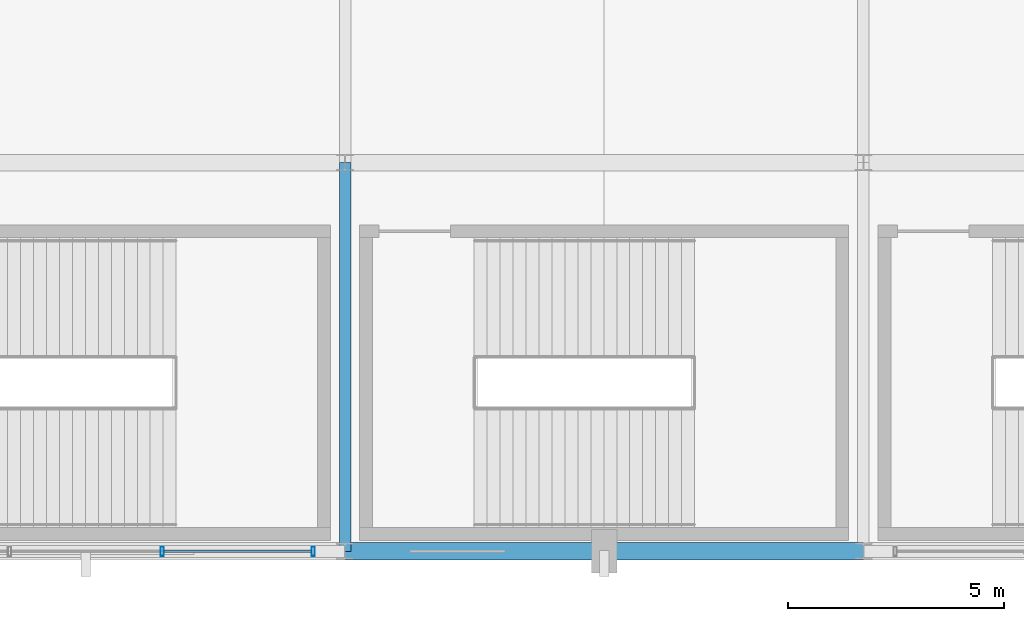
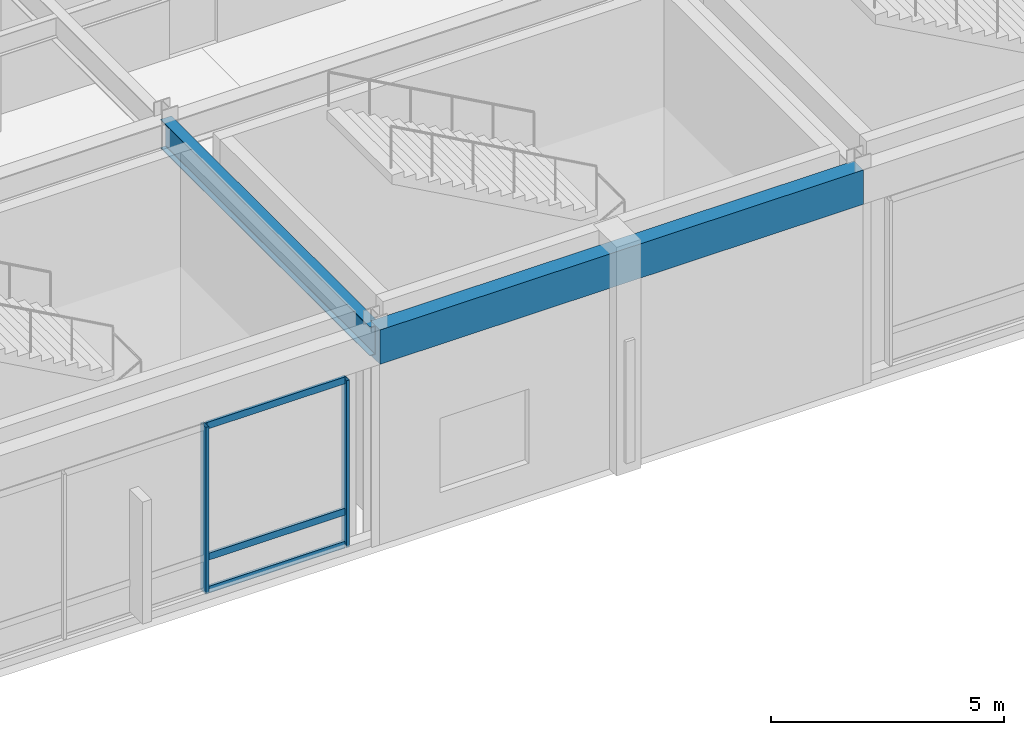
# One storey, part 24 of 108: 5 members, 2 beams, 1 element without a shape of its own.
"""IFC4 building model written with IfcOpenShell, lengths in metres."""

from ifc_helpers import new_model, si_unit, direction, frame, origin, origin_2d, place, context, subcontext, project, spatial, rectangle, hollow_rectangle, i_section, extrude, material, material_profile, profile_set, type_object, element, aggregate, save


model = new_model("IFC4")

# Units and contexts
model_context = context("Model", 3, precision=1e-05, world=origin(), true_north=direction((0.0, 1.0)))
body_context = subcontext(model_context, "Body", "Model", "MODEL_VIEW")
ifc_project = project(units=[si_unit("LENGTHUNIT", "METRE"), si_unit("AREAUNIT", "SQUARE_METRE"), si_unit("VOLUMEUNIT", "CUBIC_METRE"), si_unit("PLANEANGLEUNIT", "RADIAN"), si_unit("MASSUNIT", "GRAM", prefix="KILO")], contexts=[model_context])

# Site, building, storey
site_placement = place(None, origin())
site = spatial("IfcSite", under=ifc_project, at=site_placement, CompositionType="ELEMENT")
building_placement = place(site_placement, origin())
building = spatial("IfcBuilding", under=site, at=building_placement, Name="Kaldorvane Square Convention Centre", CompositionType="ELEMENT")
storey_placement = place(building_placement, frame((0.0, 0.0, 12.0)))
storey = spatial("IfcBuildingStorey", under=building, at=storey_placement, Name="L02", CompositionType="ELEMENT", Elevation=12.0)

# Beams
ifc_material_1 = material(Name="Steel ASTM A992 Gr. 50", Category="steel")
ifc_material_profile_1 = material_profile(ifc_material_1, i_section(OverallWidth=0.2666015625, OverallDepth=0.762298583984375, WebThickness=0.014404296875, FlangeThickness=0.0216064453125, FilletRadius=0.0164947509765625, at=origin_2d()), Name="W30X116")
ifc_profile_set_1 = profile_set([ifc_material_profile_1], Name="Steel ASTM A992 Gr. 50")
beam_type_1 = type_object("IfcBeamType", Name="BM-GR-W30X116", PredefinedType="BEAM", material=ifc_profile_set_1)
beam_1_placement = place(storey_placement, frame((54.0, 0.0, 5.264801025390625), z_axis=(0.0, 1.0, 0.0), x_axis=(-1.0, 0.0, 0.0)))
element("IfcBeam", 1, at=beam_1_placement, inside=storey, type_object=beam_type_1, Name="Transverse Girder (L02)", PredefinedType="BEAM", context=body_context, shape_type="SweptSolid", body=[
    extrude(i_section(OverallWidth=0.2666015625, OverallDepth=0.762298583984375, WebThickness=0.014404296875, FlangeThickness=0.0216064453125, FilletRadius=0.0164947509765625, at=origin_2d()), origin(), (0.0, 0.0, 1.0), 9.0),
])
ifc_material_2 = material(Name="Concrete f'c = 42 MPa (Normalweight)", Category="concrete")
ifc_material_profile_2 = material_profile(ifc_material_2, rectangle(XDim=0.399993896484375, YDim=0.899993896484375, at=origin_2d()), Name="RCSP900X400")
ifc_profile_set_2 = profile_set([ifc_material_profile_2], Name="Concrete f'c = 42 MPa (Normalweight)")
beam_type_2 = type_object("IfcBeamType", Name="BM-SP-RC900", PredefinedType="SPANDREL", material=ifc_profile_set_2)
beam_2_placement = place(storey_placement, frame((54.0, 0.0, 5.1959991455078125), z_axis=(1.0, 0.0, 0.0), x_axis=(0.0, 1.0, 0.0)))
element("IfcBeam", 2, at=beam_2_placement, inside=storey, type_object=beam_type_2, Name="Perimeter Spandrel (L02)", PredefinedType="SPANDREL", context=body_context, shape_type="SweptSolid", body=[
    extrude(rectangle(XDim=0.399993896484375, YDim=0.899993896484375, at=origin_2d()), origin(), (0.0, 0.0, 1.0), 12.0),
])

# Curtain wall, members
ifc_material_3 = material(Name="Anodized Aluminum and Low-E Insulated Glazing", Category="aluminium")
curtain_wall_type = type_object("IfcCurtainWallType", Name="CW-UNI-P60-12", PredefinedType="USERDEFINED", material=ifc_material_3)
curtain_wall_placement = place(storey_placement, origin())
curtain_wall = element("IfcCurtainWall", 3, at=curtain_wall_placement, inside=storey, type_object=curtain_wall_type, Name="Curtain Wall CW-01 (L02)", ObjectType="UNITISED GLAZING", PredefinedType="USERDEFINED")
ifc_material_profile_3 = material_profile(ifc_material_3, hollow_rectangle(XDim=0.0749969482421875, YDim=0.220001220703125, WallThickness=0.003997802734375, at=origin_2d()), Name="CWM-220X75")
ifc_profile_set_3 = profile_set([ifc_material_profile_3], Name="Anodized Aluminum and Low-E Insulated Glazing")
member_type_1 = type_object("IfcMemberType", Name="CW-MUL-220", PredefinedType="MULLION", material=ifc_profile_set_3)
member_1_placement = place(storey_placement, frame((49.76666259765625, 0.0, 0.149993896484375), z_axis=(0.0, 0.0, 1.0), x_axis=(1.0, 0.0, 0.0)))
member_1 = element("IfcMember", 4, at=member_1_placement, type_object=member_type_1, Name="CW-01 mullion 3", PredefinedType="MULLION", context=body_context, shape_type="SweptSolid", body=[
    extrude(hollow_rectangle(XDim=0.0749969482421875, YDim=0.220001220703125, WallThickness=0.003997802734375, at=origin_2d()), origin(), (0.0, 0.0, 1.0), 4.3800048828125),
])
member_2_placement = place(storey_placement, frame((53.26249694824219, 0.0, 0.149993896484375), z_axis=(0.0, 0.0, 1.0), x_axis=(1.0, 0.0, 0.0)))
member_2 = element("IfcMember", 5, at=member_2_placement, type_object=member_type_1, Name="CW-01 mullion 4", PredefinedType="MULLION", context=body_context, shape_type="SweptSolid", body=[
    extrude(hollow_rectangle(XDim=0.0749969482421875, YDim=0.220001220703125, WallThickness=0.003997802734375, at=origin_2d()), origin(), (0.0, 0.0, 1.0), 4.3800048828125),
])
ifc_material_profile_4 = material_profile(ifc_material_3, hollow_rectangle(XDim=0.06500244140625, YDim=0.17999267578125, WallThickness=0.0034942626953125, at=origin_2d()), Name="CWT-180X65")
ifc_profile_set_4 = profile_set([ifc_material_profile_4], Name="Anodized Aluminum and Low-E Insulated Glazing")
member_type_2 = type_object("IfcMemberType", Name="CW-TRN-180", PredefinedType="USERDEFINED", material=ifc_profile_set_4)
member_3_placement = place(storey_placement, frame((49.804168701171875, 0.0, 0.1824951171875), z_axis=(1.0, 0.0, 0.0), x_axis=(0.0, 1.0, 0.0)))
member_3 = element("IfcMember", 6, at=member_3_placement, type_object=member_type_2, Name="CW-01 transom 3.1", ObjectType="TRANSOM", PredefinedType="USERDEFINED", context=body_context, shape_type="SweptSolid", body=[
    extrude(hollow_rectangle(XDim=0.06500244140625, YDim=0.17999267578125, WallThickness=0.0034942626953125, at=origin_2d()), origin(), (0.0, 0.0, 1.0), 3.42083740234375),
])
member_4_placement = place(storey_placement, frame((49.804168701171875, 0.0, 1.0500030517578125), z_axis=(1.0, 0.0, 0.0), x_axis=(0.0, 1.0, 0.0)))
member_4 = element("IfcMember", 7, at=member_4_placement, type_object=member_type_2, Name="CW-01 transom 3.2", ObjectType="TRANSOM", PredefinedType="USERDEFINED", context=body_context, shape_type="SweptSolid", body=[
    extrude(hollow_rectangle(XDim=0.06500244140625, YDim=0.17999267578125, WallThickness=0.0034942626953125, at=origin_2d()), origin(), (0.0, 0.0, 1.0), 3.42083740234375),
])
member_5_placement = place(storey_placement, frame((49.804168701171875, 0.0, 4.49749755859375), z_axis=(1.0, 0.0, 0.0), x_axis=(0.0, 1.0, 0.0)))
member_5 = element("IfcMember", 8, at=member_5_placement, type_object=member_type_2, Name="CW-01 transom 3.3", ObjectType="TRANSOM", PredefinedType="USERDEFINED", context=body_context, shape_type="SweptSolid", body=[
    extrude(hollow_rectangle(XDim=0.06500244140625, YDim=0.17999267578125, WallThickness=0.0034942626953125, at=origin_2d()), origin(), (0.0, 0.0, 1.0), 3.42083740234375),
])
aggregate(curtain_wall, [member_1, member_2, member_3, member_4, member_5])

save(model, "model.ifc")
